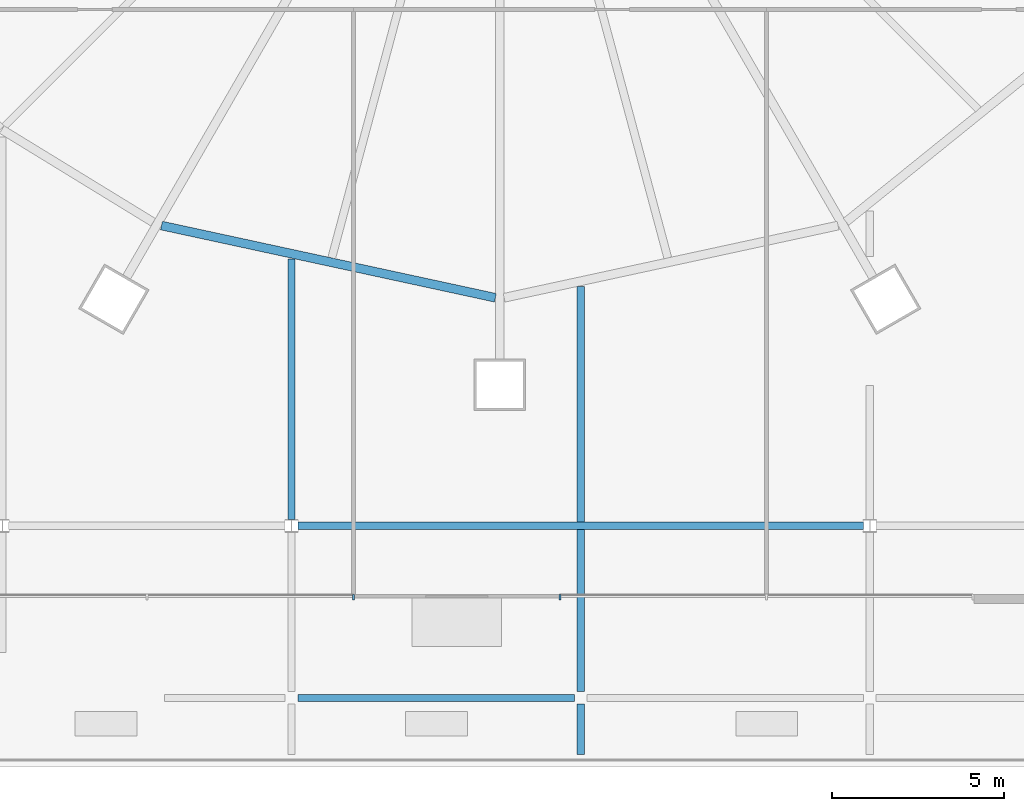
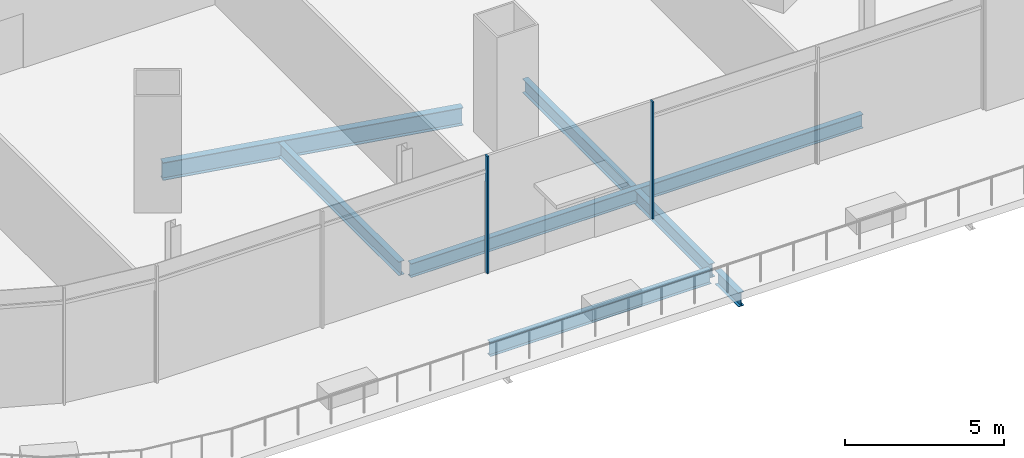
# One storey, part 10 of 52: 7 beams, 2 members, 1 element without a shape of its own.
"""IFC4 building model written with IfcOpenShell, lengths in metres."""

from ifc_helpers import new_model, si_unit, direction, frame, origin, origin_2d, place, context, subcontext, project, spatial, rectangle, i_section, extrude, material, material_profile, profile_set, type_object, element, aggregate, save


model = new_model("IFC4")

# Units and contexts
model_context = context("Model", 3, precision=1e-05, world=origin(), true_north=direction((0.0, 1.0)))
body_context = subcontext(model_context, "Body", "Model", "MODEL_VIEW")
ifc_project = project(units=[si_unit("LENGTHUNIT", "METRE"), si_unit("AREAUNIT", "SQUARE_METRE"), si_unit("VOLUMEUNIT", "CUBIC_METRE"), si_unit("PLANEANGLEUNIT", "RADIAN"), si_unit("MASSUNIT", "GRAM", prefix="KILO")], contexts=[model_context])

# Site, building, storey
site_placement = place(None, origin())
site = spatial("IfcSite", under=ifc_project, at=site_placement, CompositionType="ELEMENT")
building_placement = place(site_placement, origin())
building = spatial("IfcBuilding", under=site, at=building_placement, Name="Rimbun Link Towers", CompositionType="ELEMENT")
storey_placement = place(building_placement, frame((0.0, 0.0, 21.0)))
storey = spatial("IfcBuildingStorey", under=building, at=storey_placement, Name="L04", CompositionType="ELEMENT", Elevation=21.0)

# Curtain wall, members
ifc_material_1 = material(Name="Aluminium 6063-T6 and low-iron glass", Category="aluminium")
curtain_wall_type = type_object("IfcCurtainWallType", Name="CW3 podium shopfront", PredefinedType="NOTDEFINED", material=ifc_material_1)
curtain_wall_placement = place(storey_placement, origin())
curtain_wall = element("IfcCurtainWall", 1, at=curtain_wall_placement, inside=storey, type_object=curtain_wall_type, Name="CW3 L04 PD", PredefinedType="NOTDEFINED")
ifc_material_2 = material(Name="Aluminium 6063-T6", Category="aluminium")
ifc_material_profile_1 = material_profile(ifc_material_2, rectangle(XDim=0.14990234375, YDim=0.06005859375, at=origin_2d()), Name="MULLION 60X150")
ifc_profile_set_1 = profile_set([ifc_material_profile_1], Name="Aluminium 6063-T6")
member_type = type_object("IfcMemberType", Name="CW3 mullion 60X150", PredefinedType="MULLION", material=ifc_profile_set_1)
member_1_placement = place(storey_placement, frame((-36.0, -28.074951171875, 0.0), z_axis=(0.0, 0.0, 1.0), x_axis=(0.0, -1.0, 0.0)))
member_1 = element("IfcMember", 2, at=member_1_placement, type_object=member_type, Name="CW3 mullion", PredefinedType="MULLION", context=body_context, shape_type="SweptSolid", body=[
    extrude(rectangle(XDim=0.14990234375, YDim=0.06005859375, at=origin_2d()), origin(), (0.0, 0.0, 1.0), 4.5),
])
member_2_placement = place(storey_placement, frame((-30.0, -28.074951171875, 0.0), z_axis=(0.0, 0.0, 1.0), x_axis=(0.0, -1.0, 0.0)))
member_2 = element("IfcMember", 3, at=member_2_placement, type_object=member_type, Name="CW3 mullion", PredefinedType="MULLION", context=body_context, shape_type="SweptSolid", body=[
    extrude(rectangle(XDim=0.14990234375, YDim=0.06005859375, at=origin_2d()), origin(), (0.0, 0.0, 1.0), 4.5),
])
aggregate(curtain_wall, [member_1, member_2])

# Beams
ifc_material_3 = material(Name="Steel S355J2", Category="steel")
ifc_material_profile_2 = material_profile(ifc_material_3, i_section(OverallWidth=0.209228515625, OverallDepth=0.533203125, WebThickness=0.010009765625, FlangeThickness=0.015625, at=origin_2d()), Name="UB 533x210x92")
ifc_profile_set_2 = profile_set([ifc_material_profile_2], Name="Steel S355J2")
beam_type_1 = type_object("IfcBeamType", Name="UB 533x210x92", PredefinedType="BEAM", material=ifc_profile_set_2)
beam_1_placement = place(storey_placement, frame((-37.61474609375, -31.0, -0.56640625), z_axis=(1.0, 0.0, 0.0), x_axis=(0.0, 1.0, 0.0)))
element("IfcBeam", 4, at=beam_1_placement, inside=storey, type_object=beam_type_1, Name="Grid beam L04 -31.0", PredefinedType="BEAM", context=body_context, shape_type="SweptSolid", body=[
    extrude(i_section(OverallWidth=0.209228515625, OverallDepth=0.533203125, WebThickness=0.010009765625, FlangeThickness=0.015625, at=origin_2d()), origin(), (0.0, 0.0, 1.0), 8.029541015625),
])
beam_2_placement = place(storey_placement, frame((-37.61474609375, -26.0, -0.56640625), z_axis=(1.0, 0.0, 0.0), x_axis=(0.0, 1.0, 0.0)))
element("IfcBeam", 5, at=beam_2_placement, inside=storey, type_object=beam_type_1, Name="Grid beam L04 -26.0", PredefinedType="BEAM", context=body_context, shape_type="SweptSolid", body=[
    extrude(i_section(OverallWidth=0.209228515625, OverallDepth=0.533203125, WebThickness=0.010009765625, FlangeThickness=0.015625, at=origin_2d()), origin(), (0.0, 0.0, 1.0), 16.429443359375),
])
beam_3_placement = place(storey_placement, frame((-37.800048828125, -25.819091796875, -0.56640625), z_axis=(0.0, 1.0, 0.0), x_axis=(-1.0, 0.0, 0.0)))
element("IfcBeam", 6, at=beam_3_placement, inside=storey, type_object=beam_type_1, Name="Grid beam L04 -37.8", PredefinedType="BEAM", context=body_context, shape_type="SweptSolid", body=[
    extrude(i_section(OverallWidth=0.209228515625, OverallDepth=0.533203125, WebThickness=0.010009765625, FlangeThickness=0.015625, at=origin_2d()), origin(), (0.0, 0.0, 1.0), 7.571533203125),
])
beam_4_placement = place(storey_placement, frame((-29.39990234375, -32.649169921875, -0.56640625), z_axis=(0.0, 1.0, 0.0), x_axis=(-1.0, 0.0, 0.0)))
element("IfcBeam", 7, at=beam_4_placement, inside=storey, type_object=beam_type_1, Name="Grid beam L04 -29.4", PredefinedType="BEAM", context=body_context, shape_type="SweptSolid", body=[
    extrude(i_section(OverallWidth=0.209228515625, OverallDepth=0.533203125, WebThickness=0.010009765625, FlangeThickness=0.015625, at=origin_2d()), origin(), (0.0, 0.0, 1.0), 1.46826171875),
])
beam_5_placement = place(storey_placement, frame((-29.39990234375, -30.819091796875, -0.56640625), z_axis=(0.0, 1.0, 0.0), x_axis=(-1.0, 0.0, 0.0)))
element("IfcBeam", 8, at=beam_5_placement, inside=storey, type_object=beam_type_1, Name="Grid beam L04 -29.4", PredefinedType="BEAM", context=body_context, shape_type="SweptSolid", body=[
    extrude(i_section(OverallWidth=0.209228515625, OverallDepth=0.533203125, WebThickness=0.010009765625, FlangeThickness=0.015625, at=origin_2d()), origin(), (0.0, 0.0, 1.0), 4.714599609375),
])
beam_6_placement = place(storey_placement, frame((-29.39990234375, -25.8955078125, -0.56640625), z_axis=(0.0, 1.0, 0.0), x_axis=(-1.0, 0.0, 0.0)))
element("IfcBeam", 9, at=beam_6_placement, inside=storey, type_object=beam_type_1, Name="Grid beam L04 -29.4", PredefinedType="BEAM", context=body_context, shape_type="SweptSolid", body=[
    extrude(i_section(OverallWidth=0.209228515625, OverallDepth=0.533203125, WebThickness=0.010009765625, FlangeThickness=0.015625, at=origin_2d()), origin(), (0.0, 0.0, 1.0), 6.84765625),
])
ifc_material_4 = material(Name="Steel S355J2", Category="steel")
ifc_material_profile_3 = material_profile(ifc_material_4, i_section(OverallWidth=0.253662109375, OverallDepth=0.68359375, WebThickness=0.012451171875, FlangeThickness=0.01904296875, at=origin_2d()), Name="UB 686x254x140")
ifc_profile_set_3 = profile_set([ifc_material_profile_3], Name="Steel S355J2")
beam_type_2 = type_object("IfcBeamType", Name="UB 686x254x140", PredefinedType="BEAM", material=ifc_profile_set_3)
beam_7_placement = place(storey_placement, frame((-41.577392578125, -17.27685546875, -0.641845703125), z_axis=(0.977390124833, -0.211443949734, 0.0), x_axis=(0.211443949734, 0.977390124833, 0.0)))
element("IfcBeam", 10, at=beam_7_placement, inside=storey, type_object=beam_type_2, Name="Edge beam T1 L04 16-18", PredefinedType="BEAM", context=body_context, shape_type="SweptSolid", body=[
    extrude(i_section(OverallWidth=0.253662109375, OverallDepth=0.68359375, WebThickness=0.012451171875, FlangeThickness=0.01904296875, at=origin_2d()), origin(), (0.0, 0.0, 1.0), 9.924072265625),
])

save(model, "model.ifc")
